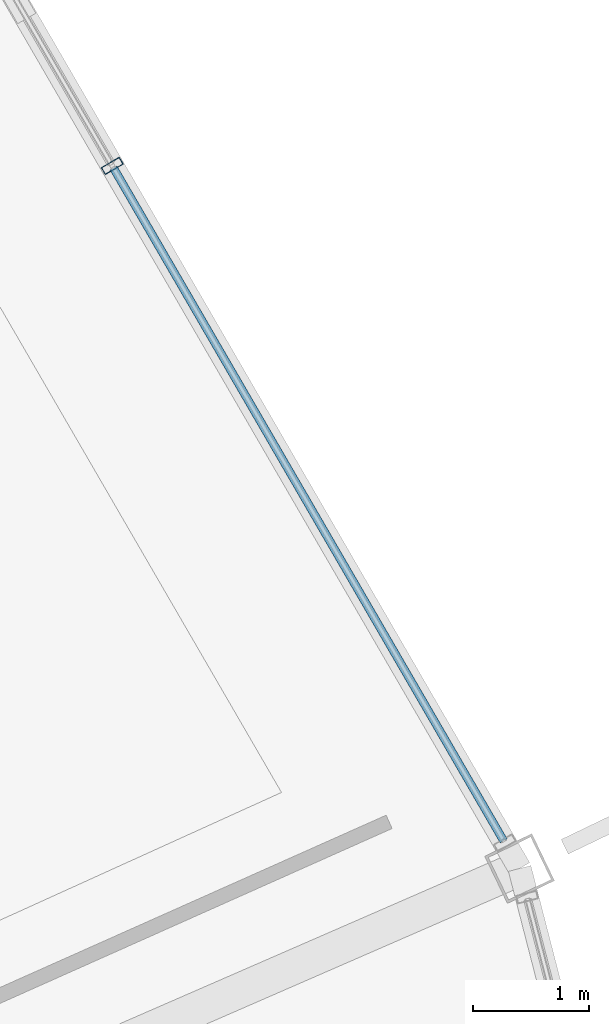
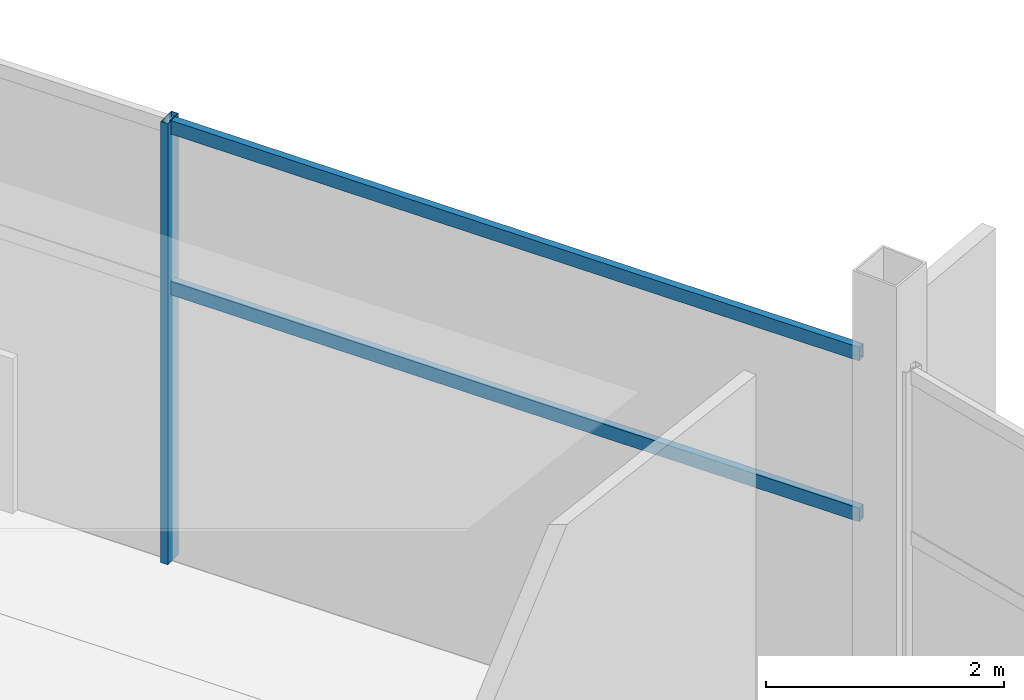
# One storey, part 113 of 186: 3 members, 1 element without a shape of its own.
"""IFC4 building model written with IfcOpenShell, lengths in metres."""

from ifc_helpers import new_model, si_unit, direction, frame, origin, origin_2d, place, context, subcontext, project, spatial, hollow_rectangle, extrude, material, layer, layer_set, material_profile, profile_set, type_object, element, aggregate, save


model = new_model("IFC4")

# Units and contexts
model_context = context("Model", 3, precision=1e-05, world=origin(), true_north=direction((0.0, 1.0)))
body_context = subcontext(model_context, "Body", "Model", "MODEL_VIEW")
ifc_project = project(units=[si_unit("LENGTHUNIT", "METRE"), si_unit("AREAUNIT", "SQUARE_METRE"), si_unit("VOLUMEUNIT", "CUBIC_METRE"), si_unit("PLANEANGLEUNIT", "RADIAN"), si_unit("MASSUNIT", "GRAM", prefix="KILO")], contexts=[model_context])

# Site, building, storey
site_placement = place(None, origin())
site = spatial("IfcSite", under=ifc_project, at=site_placement, CompositionType="ELEMENT")
building_placement = place(site_placement, origin())
building = spatial("IfcBuilding", under=site, at=building_placement, Name="Kazemori Nagisa Stadium", CompositionType="ELEMENT")
storey_placement = place(building_placement, frame((0.0, 0.0, 20.39990234375)))
storey = spatial("IfcBuildingStorey", under=building, at=storey_placement, Name="L04", CompositionType="ELEMENT", Elevation=20.39990234375)

# Curtain wall, members
ifc_material_1 = material(Name="Anodised aluminium 6063-T5", Category="aluminium")
ifc_layer = layer(ifc_material_1, 0.179931640625, Name="Anodised aluminium 6063-T5", Category="aluminium")
ifc_layer_set = layer_set([ifc_layer], Name="Anodised aluminium 6063-T5")
curtain_wall_type = type_object("IfcCurtainWallType", Name="CW_L04R3_101", PredefinedType="USERDEFINED", material=ifc_layer_set)
curtain_wall_placement = place(storey_placement, origin())
curtain_wall = element("IfcCurtainWall", 1, at=curtain_wall_placement, inside=storey, type_object=curtain_wall_type, Name="Unitised curtain wall CW-L04R3-101 L04", ObjectType="UNITISED CURTAIN WALL", PredefinedType="USERDEFINED")
ifc_material_2 = material(Name="Aluminium 6063-T5 anodised", Category="aluminium")
ifc_material_profile_1 = material_profile(ifc_material_2, hollow_rectangle(XDim=0.070068359375, YDim=0.179931640625, WallThickness=0.00390625, at=origin_2d()), Name="ALU-MULL-70x180x4")
ifc_profile_set_1 = profile_set([ifc_material_profile_1], Name="Aluminium 6063-T5 anodised")
member_type_1 = type_object("IfcMemberType", Name="Mullion_M01", PredefinedType="MULLION", material=ifc_profile_set_1)
member_1_placement = place(storey_placement, frame((208.379150390625, 146.795654296875, 0.0), z_axis=(0.0, 0.0, 1.0), x_axis=(-0.501611590054, 0.865092950337, 0.0)))
member_1 = element("IfcMember", 2, at=member_1_placement, type_object=member_type_1, Name="Curtain wall mullion CW-L04R3-101-M2", PredefinedType="MULLION", context=body_context, shape_type="SweptSolid", body=[
    extrude(hollow_rectangle(XDim=0.070068359375, YDim=0.179931640625, WallThickness=0.00390625, at=origin_2d()), origin(), (0.0, 0.0, 1.0), 4.530029296875),
])
ifc_material_profile_2 = material_profile(ifc_material_2, hollow_rectangle(XDim=0.070068359375, YDim=0.139892578125, WallThickness=0.00390625, at=origin_2d()), Name="ALU-TRAN-70x140x4")
ifc_profile_set_2 = profile_set([ifc_material_profile_2], Name="Aluminium 6063-T5 anodised")
member_type_2 = type_object("IfcMemberType", Name="Transom_T01", PredefinedType="USERDEFINED", material=ifc_profile_set_2)
member_2_placement = place(storey_placement, frame((211.7470703125, 140.987548828125, 2.80859375), z_axis=(-0.50161984125, 0.865088165948, 0.0), x_axis=(-0.865088165948, -0.50161984125, 0.0)))
member_2 = element("IfcMember", 3, at=member_2_placement, type_object=member_type_2, Name="Curtain wall transom CW-L04R3-101-T1-mid", ObjectType="TRANSOM", PredefinedType="USERDEFINED", context=body_context, shape_type="SweptSolid", body=[
    extrude(hollow_rectangle(XDim=0.070068359375, YDim=0.139892578125, WallThickness=0.00390625, at=origin_2d()), origin(), (0.0, 0.0, 1.0), 6.694091796875),
])
member_3_placement = place(storey_placement, frame((211.7470703125, 140.987548828125, 4.460205078125), z_axis=(-0.50161984125, 0.865088165948, 0.0), x_axis=(-0.865088165948, -0.50161984125, 0.0)))
member_3 = element("IfcMember", 4, at=member_3_placement, type_object=member_type_2, Name="Curtain wall transom CW-L04R3-101-T1-head", ObjectType="TRANSOM", PredefinedType="USERDEFINED", context=body_context, shape_type="SweptSolid", body=[
    extrude(hollow_rectangle(XDim=0.070068359375, YDim=0.139892578125, WallThickness=0.00390625, at=origin_2d()), origin(), (0.0, 0.0, 1.0), 6.694091796875),
])
aggregate(curtain_wall, [member_1, member_2, member_3])

save(model, "model.ifc")
